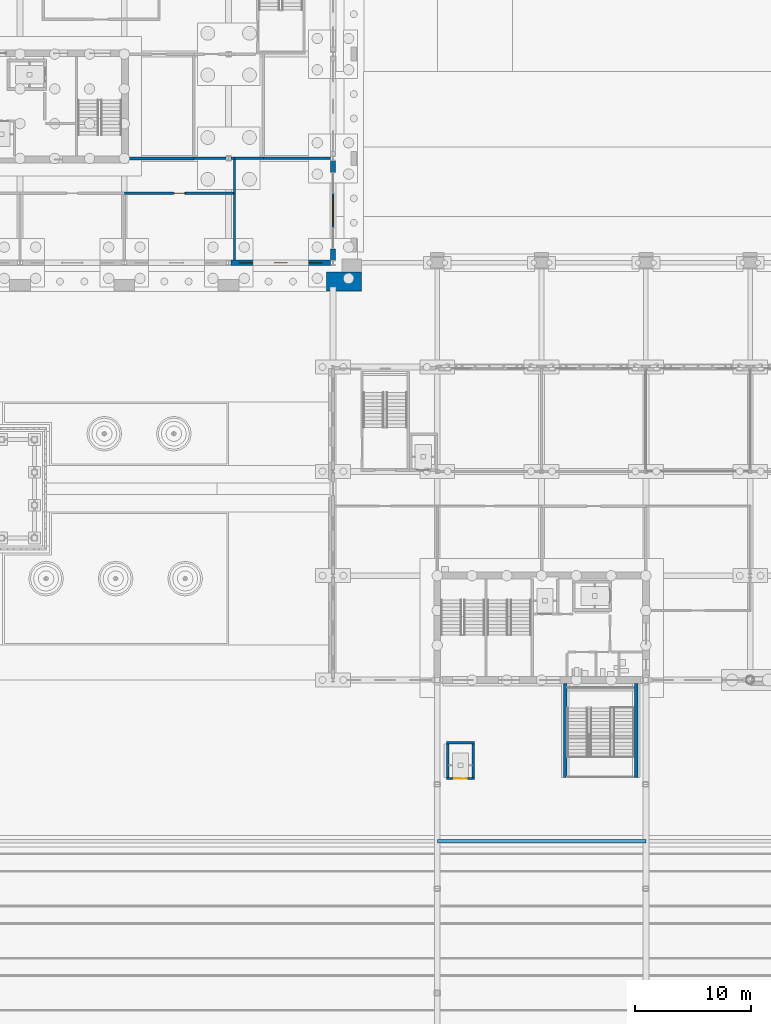
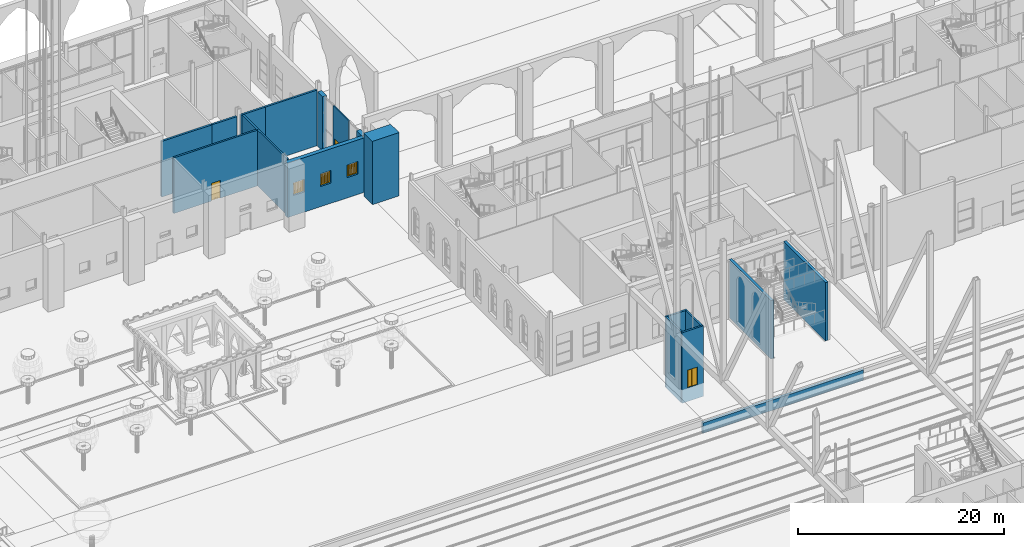
# One storey, part 106 of 250: 20 walls, 3 doors, 3 windows, 6 openings.
"""IFC4 building model written with IfcOpenShell, lengths in metres."""

from ifc_helpers import new_model, si_unit, direction, frame, frame_2d, origin, place, context, subcontext, project, spatial, polyline, rectangle, outline, extrude, material, layer, layer_set, type_object, element, fill, save


model = new_model("IFC4")

# Units and contexts
model_context = context("Model", 3, precision=1e-05, world=origin(), true_north=direction((0.0, 1.0)))
body_context = subcontext(model_context, "Body", "Model", "MODEL_VIEW")
ifc_project = project(units=[si_unit("LENGTHUNIT", "METRE"), si_unit("AREAUNIT", "SQUARE_METRE"), si_unit("VOLUMEUNIT", "CUBIC_METRE"), si_unit("PLANEANGLEUNIT", "RADIAN"), si_unit("MASSUNIT", "GRAM", prefix="KILO")], contexts=[model_context])

# Site, building, storey
site_placement = place(None, origin())
site = spatial("IfcSite", under=ifc_project, at=site_placement, CompositionType="ELEMENT")
building_placement = place(site_placement, origin())
building = spatial("IfcBuilding", under=site, at=building_placement, Name="Baradari Gate Terminus", CompositionType="ELEMENT")
storey_placement = place(building_placement, origin())
storey = spatial("IfcBuildingStorey", under=building, at=storey_placement, Name="L00", CompositionType="ELEMENT", Elevation=0.0)

# Walls
ifc_material_1 = material(Name="Blockwork wall, plastered, fire rated", Category="masonry")
ifc_layer_1 = layer(ifc_material_1, 0.199951171875)
ifc_layer_set_1 = layer_set([ifc_layer_1], Name="Blockwork wall, plastered, fire rated")
wall_type_1 = type_object("IfcWallType", Name="Compartment wall PT-3 200 EI 120", PredefinedType="PARTITIONING", material=ifc_layer_set_1)
wall_1_placement = place(storey_placement, frame((54.5, 117.22705078125, 0.0), z_axis=(0.0, 0.0, 1.0), x_axis=(0.0, 1.0, 0.0)))
element("IfcWall", 1, at=wall_1_placement, inside=storey, type_object=wall_type_1, Name="PT-3 partition Kiosk 3 / Fire Command Room", PredefinedType="PARTITIONING", context=body_context, shape_type="SweptSolid", body=[
    extrude(rectangle(XDim=5.77294921875, YDim=0.199951171875, at=frame_2d((2.886474609375, 0.0))), origin(), (0.0, 0.0, 1.0), 6.60009765625),
])
ifc_material_2 = material(Name="Dense blockwork wall, plastered, fire rated", Category="masonry")
ifc_layer_2 = layer(ifc_material_2, 0.22509765625)
ifc_layer_set_2 = layer_set([ifc_layer_2], Name="Dense blockwork wall, plastered, fire rated")
wall_type_2 = type_object("IfcWallType", Name="Electrical room wall PT-8 225 EI 120", PredefinedType="PARTITIONING", material=ifc_layer_set_2)
wall_2_placement = place(storey_placement, frame((45.376953125, 126.0, 0.0), z_axis=(0.0, 0.0, 1.0), x_axis=(1.0, 0.0, 0.0)))
element("IfcWall", 2, at=wall_2_placement, inside=storey, type_object=wall_type_2, Name="PT-8 partition Staff and Visitor Lobby / Fire Pump Room", PredefinedType="PARTITIONING", context=body_context, shape_type="SweptSolid", body=[
    extrude(rectangle(XDim=5.623046875, YDim=0.22509765625, at=frame_2d((2.8115234375, 0.0))), origin(), (0.0, 0.0, 1.0), 6.60009765625),
])

# Wall, opening, door
ifc_material_3 = material(Name="Laminated glass in aluminium frame", Category="aluminium")
ifc_layer_3 = layer(ifc_material_3, 0.14990234375)
ifc_layer_set_3 = layer_set([ifc_layer_3], Name="Laminated glass in aluminium frame")
wall_type_3 = type_object("IfcWallType", Name="Glazed entrance screen WG-1 150", PredefinedType="ELEMENTEDWALL", material=ifc_layer_set_3)
wall_3_placement = place(storey_placement, frame((63.0, 120.0, 0.0), z_axis=(0.0, 0.0, 1.0), x_axis=(0.0, 1.0, 0.0)))
wall_3 = element("IfcWall", 3, at=wall_3_placement, inside=storey, type_object=wall_type_3, Name="Glazed entrance screen TE bay 13 L00", PredefinedType="ELEMENTEDWALL", context=body_context, shape_type="SweptSolid", body=[
    extrude(rectangle(XDim=3.0, YDim=0.14990234375, at=frame_2d((1.5, 0.0))), origin(), (0.0, 0.0, 1.0), 6.459716796875),
])
opening_1_placement = place(wall_3_placement, frame((0.300048828125, 0.0, 0.0)))
opening_1 = element("IfcOpeningElement", 4, at=opening_1_placement, cuts=wall_3, Name="Opening D00-010", PredefinedType="OPENING", context=body_context, shape_type="SweptSolid", body=[
    extrude(rectangle(XDim=2.39990234375, YDim=2.699951171875, at=frame_2d((1.199951171875, 1.35009765625))), frame((0.0, 0.0849609375, 0.0), z_axis=(0.0, -1.0, 0.0), x_axis=(1.0, 0.0, 0.0)), (0.0, 0.0, 1.0), 0.169921875),
])
ifc_material_4 = material(Name="Aluminium 6063-T6", Category="aluminium")
door_type_1 = type_object("IfcDoorType", Name="Shop entrance door pair, glazed DT-2 2400x2700", OperationType="DOUBLE_DOOR_DOUBLE_SWING", PredefinedType="DOOR", material=ifc_material_4)
door_1_placement = place(opening_1_placement, frame((2.39990234375, 0.0, 0.0), z_axis=(0.0, 0.0, 1.0), x_axis=(-1.0, 0.0, 0.0)))
door_1 = element("IfcDoor", 5, at=door_1_placement, inside=storey, type_object=door_type_1, Name="Entrance door Kiosk 3", OperationType="DOUBLE_DOOR_SINGLE_SWING", OverallHeight=2.7, OverallWidth=2.4, PredefinedType="DOOR", context=body_context, shape_type="SweptSolid", body=[
    extrude(outline(polyline([(0.0, 0.0), (0.070068359375, 0.0), (0.070068359375, 2.6298828125), (2.329833984375, 2.6298828125), (2.329833984375, 0.0), (2.39990234375, 0.0), (2.39990234375, 2.699951171875), (0.0, 2.699951171875), (0.0, 0.0)])), frame((0.0, 0.02490234375, 0.0), z_axis=(0.0, -1.0, 0.0), x_axis=(1.0, 0.0, 0.0)), (0.0, 0.0, 1.0), 0.050048828125),
    extrude(outline(polyline([(0.073974609375, 0.010009765625), (1.19677734375, 0.010009765625), (1.19677734375, 2.6259765625), (0.073974609375, 2.6259765625), (0.073974609375, 0.010009765625)]), holes=[polyline([(0.1640625, 0.31005859375), (1.10693359375, 0.31005859375), (1.10693359375, 2.535888671875), (0.1640625, 2.535888671875), (0.1640625, 0.31005859375)])]), frame((0.0, 0.017333984375, 0.0), z_axis=(0.0, -1.0, 0.0), x_axis=(1.0, 0.0, 0.0)), (0.0, 0.0, 1.0), 0.034912109375),
    extrude(rectangle(XDim=0.94287109375, YDim=2.225830078125, at=frame_2d((0.635498046875, 1.4228515625))), frame((0.0, 0.005859375, 0.0), z_axis=(0.0, -1.0, 0.0), x_axis=(1.0, 0.0, 0.0)), (0.0, 0.0, 1.0), 0.011962890625),
    extrude(outline(polyline([(1.203125, 0.010009765625), (2.325927734375, 0.010009765625), (2.325927734375, 2.6259765625), (1.203125, 2.6259765625), (1.203125, 0.010009765625)]), holes=[polyline([(1.29296875, 0.31005859375), (2.23583984375, 0.31005859375), (2.23583984375, 2.535888671875), (1.29296875, 2.535888671875), (1.29296875, 0.31005859375)])]), frame((0.0, 0.017333984375, 0.0), z_axis=(0.0, -1.0, 0.0), x_axis=(1.0, 0.0, 0.0)), (0.0, 0.0, 1.0), 0.034912109375),
    extrude(rectangle(XDim=0.94287109375, YDim=2.225830078125, at=frame_2d((1.764404296875, 1.4228515625))), frame((0.0, 0.005859375, 0.0), z_axis=(0.0, -1.0, 0.0), x_axis=(1.0, 0.0, 0.0)), (0.0, 0.0, 1.0), 0.011962890625),
])
fill(opening_1, door_1)

# Wall, openings, windows
ifc_material_5 = material(Name="Laterite masonry", Category="masonry")
ifc_layer_4 = layer(ifc_material_5, 0.449951171875)
ifc_layer_set_4 = layer_set([ifc_layer_4], Name="Laterite masonry")
wall_type_4 = type_object("IfcWallType", Name="Laterite masonry pier WC-1 450", PredefinedType="SOLIDWALL", material=ifc_layer_set_4)
wall_4_placement = place(storey_placement, frame((54.199462890625, 117.0, 0.0), z_axis=(0.0, 0.0, 1.0), x_axis=(1.0, 0.0, 0.0)))
wall_4 = element("IfcWall", 6, at=wall_4_placement, inside=storey, type_object=wall_type_4, Name="Operations block south wall TS bay 7 L00", PredefinedType="SOLIDWALL", context=body_context, shape_type="SweptSolid", body=[
    extrude(rectangle(XDim=8.575439453125, YDim=0.449951171875, at=frame_2d((4.28759765625, 0.0))), origin(), (0.0, 0.0, 1.0), 6.459716796875),
])
opening_2_placement = place(wall_4_placement, frame((0.700439453125, 0.0, 2.39990234375)))
opening_2 = element("IfcOpeningElement", 7, at=opening_2_placement, cuts=wall_4, Name="Opening W11", PredefinedType="OPENING", context=body_context, shape_type="SweptSolid", body=[
    extrude(rectangle(XDim=1.199951171875, YDim=1.5, at=frame_2d((0.60009765625, 0.75))), frame((0.0, 0.23486328125, 0.0), z_axis=(0.0, -1.0, 0.0), x_axis=(1.0, 0.0, 0.0)), (0.0, 0.0, 1.0), 0.469970703125),
])
opening_3_placement = place(wall_4_placement, frame((3.700439453125, 0.0, 2.39990234375)))
opening_3 = element("IfcOpeningElement", 8, at=opening_3_placement, cuts=wall_4, Name="Opening W11", PredefinedType="OPENING", context=body_context, shape_type="SweptSolid", body=[
    extrude(rectangle(XDim=1.199951171875, YDim=1.5, at=frame_2d((0.60009765625, 0.75))), frame((0.0, 0.23486328125, 0.0), z_axis=(0.0, -1.0, 0.0), x_axis=(1.0, 0.0, 0.0)), (0.0, 0.0, 1.0), 0.469970703125),
])
opening_4_placement = place(wall_4_placement, frame((6.700439453125, 0.0, 2.39990234375)))
opening_4 = element("IfcOpeningElement", 9, at=opening_4_placement, cuts=wall_4, Name="Opening W11", PredefinedType="OPENING", context=body_context, shape_type="SweptSolid", body=[
    extrude(rectangle(XDim=1.199951171875, YDim=1.5, at=frame_2d((0.60009765625, 0.75))), frame((0.0, 0.23486328125, 0.0), z_axis=(0.0, -1.0, 0.0), x_axis=(1.0, 0.0, 0.0)), (0.0, 0.0, 1.0), 0.469970703125),
])
ifc_material_6 = material(Name="Aluminium 6063-T6", Category="aluminium")
window_type = type_object("IfcWindowType", Name="Plant louvred window W11 1200x1500", PartitioningType="SINGLE_PANEL", PredefinedType="WINDOW", material=ifc_material_6)
window_1_placement = place(opening_2_placement, origin())
window_1 = element("IfcWindow", 10, at=window_1_placement, inside=storey, type_object=window_type, Name="Window W11 TS/06", OverallHeight=1.5, OverallWidth=1.2, PartitioningType="SINGLE_PANEL", PredefinedType="WINDOW", context=body_context, shape_type="SweptSolid", body=[
    extrude(outline(polyline([(0.0, 0.0), (1.199951171875, 0.0), (1.199951171875, 1.5), (0.0, 1.5), (0.0, 0.0)]), holes=[polyline([(0.070068359375, 0.070068359375), (1.1298828125, 0.070068359375), (1.1298828125, 1.429931640625), (0.070068359375, 1.429931640625), (0.070068359375, 0.070068359375)])]), frame((0.0, 0.030029296875, 0.0), z_axis=(0.0, -1.0, 0.0), x_axis=(1.0, 0.0, 0.0)), (0.0, 0.0, 1.0), 0.06005859375),
    extrude(outline(polyline([(0.070068359375, 0.070068359375), (1.1298828125, 0.070068359375), (1.1298828125, 1.429931640625), (0.070068359375, 1.429931640625), (0.070068359375, 0.070068359375)]), holes=[polyline([(0.10009765625, 0.10009765625), (1.099853515625, 0.10009765625), (1.099853515625, 1.39990234375), (0.10009765625, 1.39990234375), (0.10009765625, 0.10009765625)])]), frame((0.0, 0.0224609375, 0.0), z_axis=(0.0, -1.0, 0.0), x_axis=(1.0, 0.0, 0.0)), (0.0, 0.0, 1.0), 0.044921875),
    extrude(rectangle(XDim=0.999755859375, YDim=0.070068359375, at=frame_2d((0.60009765625, 0.13525390625))), frame((0.0, 0.012451171875, 0.0), z_axis=(0.0, -1.0, 0.0), x_axis=(1.0, 0.0, 0.0)), (0.0, 0.0, 1.0), 0.02490234375),
    extrude(rectangle(XDim=0.999755859375, YDim=0.070068359375, at=frame_2d((0.60009765625, 0.2548828125))), frame((0.0, 0.012451171875, 0.0), z_axis=(0.0, -1.0, 0.0), x_axis=(1.0, 0.0, 0.0)), (0.0, 0.0, 1.0), 0.02490234375),
    extrude(rectangle(XDim=0.999755859375, YDim=0.070068359375, at=frame_2d((0.60009765625, 0.375))), frame((0.0, 0.012451171875, 0.0), z_axis=(0.0, -1.0, 0.0), x_axis=(1.0, 0.0, 0.0)), (0.0, 0.0, 1.0), 0.02490234375),
    extrude(rectangle(XDim=0.999755859375, YDim=0.070068359375, at=frame_2d((0.60009765625, 0.4951171875))), frame((0.0, 0.012451171875, 0.0), z_axis=(0.0, -1.0, 0.0), x_axis=(1.0, 0.0, 0.0)), (0.0, 0.0, 1.0), 0.02490234375),
    extrude(rectangle(XDim=0.999755859375, YDim=0.070068359375, at=frame_2d((0.60009765625, 0.615234375))), frame((0.0, 0.012451171875, 0.0), z_axis=(0.0, -1.0, 0.0), x_axis=(1.0, 0.0, 0.0)), (0.0, 0.0, 1.0), 0.02490234375),
    extrude(rectangle(XDim=0.999755859375, YDim=0.070068359375, at=frame_2d((0.60009765625, 0.73486328125))), frame((0.0, 0.012451171875, 0.0), z_axis=(0.0, -1.0, 0.0), x_axis=(1.0, 0.0, 0.0)), (0.0, 0.0, 1.0), 0.02490234375),
    extrude(rectangle(XDim=0.999755859375, YDim=0.070068359375, at=frame_2d((0.60009765625, 0.85498046875))), frame((0.0, 0.012451171875, 0.0), z_axis=(0.0, -1.0, 0.0), x_axis=(1.0, 0.0, 0.0)), (0.0, 0.0, 1.0), 0.02490234375),
    extrude(rectangle(XDim=0.999755859375, YDim=0.06982421875, at=frame_2d((0.60009765625, 0.97509765625))), frame((0.0, 0.012451171875, 0.0), z_axis=(0.0, -1.0, 0.0), x_axis=(1.0, 0.0, 0.0)), (0.0, 0.0, 1.0), 0.02490234375),
    extrude(rectangle(XDim=0.999755859375, YDim=0.070068359375, at=frame_2d((0.60009765625, 1.09521484375))), frame((0.0, 0.012451171875, 0.0), z_axis=(0.0, -1.0, 0.0), x_axis=(1.0, 0.0, 0.0)), (0.0, 0.0, 1.0), 0.02490234375),
    extrude(rectangle(XDim=0.999755859375, YDim=0.06982421875, at=frame_2d((0.60009765625, 1.215087890625))), frame((0.0, 0.012451171875, 0.0), z_axis=(0.0, -1.0, 0.0), x_axis=(1.0, 0.0, 0.0)), (0.0, 0.0, 1.0), 0.02490234375),
])
fill(opening_2, window_1)
window_2_placement = place(opening_3_placement, origin())
window_2 = element("IfcWindow", 11, at=window_2_placement, inside=storey, type_object=window_type, Name="Window W11 TS/06", OverallHeight=1.5, OverallWidth=1.2, PartitioningType="SINGLE_PANEL", PredefinedType="WINDOW", context=body_context, shape_type="SweptSolid", body=[
    extrude(outline(polyline([(0.0, 0.0), (1.199951171875, 0.0), (1.199951171875, 1.5), (0.0, 1.5), (0.0, 0.0)]), holes=[polyline([(0.070068359375, 0.070068359375), (1.1298828125, 0.070068359375), (1.1298828125, 1.429931640625), (0.070068359375, 1.429931640625), (0.070068359375, 0.070068359375)])]), frame((0.0, 0.030029296875, 0.0), z_axis=(0.0, -1.0, 0.0), x_axis=(1.0, 0.0, 0.0)), (0.0, 0.0, 1.0), 0.06005859375),
    extrude(outline(polyline([(0.070068359375, 0.070068359375), (1.1298828125, 0.070068359375), (1.1298828125, 1.429931640625), (0.070068359375, 1.429931640625), (0.070068359375, 0.070068359375)]), holes=[polyline([(0.10009765625, 0.10009765625), (1.099853515625, 0.10009765625), (1.099853515625, 1.39990234375), (0.10009765625, 1.39990234375), (0.10009765625, 0.10009765625)])]), frame((0.0, 0.0224609375, 0.0), z_axis=(0.0, -1.0, 0.0), x_axis=(1.0, 0.0, 0.0)), (0.0, 0.0, 1.0), 0.044921875),
    extrude(rectangle(XDim=0.999755859375, YDim=0.070068359375, at=frame_2d((0.60009765625, 0.13525390625))), frame((0.0, 0.012451171875, 0.0), z_axis=(0.0, -1.0, 0.0), x_axis=(1.0, 0.0, 0.0)), (0.0, 0.0, 1.0), 0.02490234375),
    extrude(rectangle(XDim=0.999755859375, YDim=0.070068359375, at=frame_2d((0.60009765625, 0.2548828125))), frame((0.0, 0.012451171875, 0.0), z_axis=(0.0, -1.0, 0.0), x_axis=(1.0, 0.0, 0.0)), (0.0, 0.0, 1.0), 0.02490234375),
    extrude(rectangle(XDim=0.999755859375, YDim=0.070068359375, at=frame_2d((0.60009765625, 0.375))), frame((0.0, 0.012451171875, 0.0), z_axis=(0.0, -1.0, 0.0), x_axis=(1.0, 0.0, 0.0)), (0.0, 0.0, 1.0), 0.02490234375),
    extrude(rectangle(XDim=0.999755859375, YDim=0.070068359375, at=frame_2d((0.60009765625, 0.4951171875))), frame((0.0, 0.012451171875, 0.0), z_axis=(0.0, -1.0, 0.0), x_axis=(1.0, 0.0, 0.0)), (0.0, 0.0, 1.0), 0.02490234375),
    extrude(rectangle(XDim=0.999755859375, YDim=0.070068359375, at=frame_2d((0.60009765625, 0.615234375))), frame((0.0, 0.012451171875, 0.0), z_axis=(0.0, -1.0, 0.0), x_axis=(1.0, 0.0, 0.0)), (0.0, 0.0, 1.0), 0.02490234375),
    extrude(rectangle(XDim=0.999755859375, YDim=0.070068359375, at=frame_2d((0.60009765625, 0.73486328125))), frame((0.0, 0.012451171875, 0.0), z_axis=(0.0, -1.0, 0.0), x_axis=(1.0, 0.0, 0.0)), (0.0, 0.0, 1.0), 0.02490234375),
    extrude(rectangle(XDim=0.999755859375, YDim=0.070068359375, at=frame_2d((0.60009765625, 0.85498046875))), frame((0.0, 0.012451171875, 0.0), z_axis=(0.0, -1.0, 0.0), x_axis=(1.0, 0.0, 0.0)), (0.0, 0.0, 1.0), 0.02490234375),
    extrude(rectangle(XDim=0.999755859375, YDim=0.06982421875, at=frame_2d((0.60009765625, 0.97509765625))), frame((0.0, 0.012451171875, 0.0), z_axis=(0.0, -1.0, 0.0), x_axis=(1.0, 0.0, 0.0)), (0.0, 0.0, 1.0), 0.02490234375),
    extrude(rectangle(XDim=0.999755859375, YDim=0.070068359375, at=frame_2d((0.60009765625, 1.09521484375))), frame((0.0, 0.012451171875, 0.0), z_axis=(0.0, -1.0, 0.0), x_axis=(1.0, 0.0, 0.0)), (0.0, 0.0, 1.0), 0.02490234375),
    extrude(rectangle(XDim=0.999755859375, YDim=0.06982421875, at=frame_2d((0.60009765625, 1.215087890625))), frame((0.0, 0.012451171875, 0.0), z_axis=(0.0, -1.0, 0.0), x_axis=(1.0, 0.0, 0.0)), (0.0, 0.0, 1.0), 0.02490234375),
])
fill(opening_3, window_2)
window_3_placement = place(opening_4_placement, origin())
window_3 = element("IfcWindow", 12, at=window_3_placement, inside=storey, type_object=window_type, Name="Window W11 TS/06", OverallHeight=1.5, OverallWidth=1.2, PartitioningType="SINGLE_PANEL", PredefinedType="WINDOW", context=body_context, shape_type="SweptSolid", body=[
    extrude(outline(polyline([(0.0, 0.0), (1.199951171875, 0.0), (1.199951171875, 1.5), (0.0, 1.5), (0.0, 0.0)]), holes=[polyline([(0.070068359375, 0.070068359375), (1.1298828125, 0.070068359375), (1.1298828125, 1.429931640625), (0.070068359375, 1.429931640625), (0.070068359375, 0.070068359375)])]), frame((0.0, 0.030029296875, 0.0), z_axis=(0.0, -1.0, 0.0), x_axis=(1.0, 0.0, 0.0)), (0.0, 0.0, 1.0), 0.06005859375),
    extrude(outline(polyline([(0.070068359375, 0.070068359375), (1.1298828125, 0.070068359375), (1.1298828125, 1.429931640625), (0.070068359375, 1.429931640625), (0.070068359375, 0.070068359375)]), holes=[polyline([(0.10009765625, 0.10009765625), (1.099853515625, 0.10009765625), (1.099853515625, 1.39990234375), (0.10009765625, 1.39990234375), (0.10009765625, 0.10009765625)])]), frame((0.0, 0.0224609375, 0.0), z_axis=(0.0, -1.0, 0.0), x_axis=(1.0, 0.0, 0.0)), (0.0, 0.0, 1.0), 0.044921875),
    extrude(rectangle(XDim=0.999755859375, YDim=0.070068359375, at=frame_2d((0.60009765625, 0.13525390625))), frame((0.0, 0.012451171875, 0.0), z_axis=(0.0, -1.0, 0.0), x_axis=(1.0, 0.0, 0.0)), (0.0, 0.0, 1.0), 0.02490234375),
    extrude(rectangle(XDim=0.999755859375, YDim=0.070068359375, at=frame_2d((0.60009765625, 0.2548828125))), frame((0.0, 0.012451171875, 0.0), z_axis=(0.0, -1.0, 0.0), x_axis=(1.0, 0.0, 0.0)), (0.0, 0.0, 1.0), 0.02490234375),
    extrude(rectangle(XDim=0.999755859375, YDim=0.070068359375, at=frame_2d((0.60009765625, 0.375))), frame((0.0, 0.012451171875, 0.0), z_axis=(0.0, -1.0, 0.0), x_axis=(1.0, 0.0, 0.0)), (0.0, 0.0, 1.0), 0.02490234375),
    extrude(rectangle(XDim=0.999755859375, YDim=0.070068359375, at=frame_2d((0.60009765625, 0.4951171875))), frame((0.0, 0.012451171875, 0.0), z_axis=(0.0, -1.0, 0.0), x_axis=(1.0, 0.0, 0.0)), (0.0, 0.0, 1.0), 0.02490234375),
    extrude(rectangle(XDim=0.999755859375, YDim=0.070068359375, at=frame_2d((0.60009765625, 0.615234375))), frame((0.0, 0.012451171875, 0.0), z_axis=(0.0, -1.0, 0.0), x_axis=(1.0, 0.0, 0.0)), (0.0, 0.0, 1.0), 0.02490234375),
    extrude(rectangle(XDim=0.999755859375, YDim=0.070068359375, at=frame_2d((0.60009765625, 0.73486328125))), frame((0.0, 0.012451171875, 0.0), z_axis=(0.0, -1.0, 0.0), x_axis=(1.0, 0.0, 0.0)), (0.0, 0.0, 1.0), 0.02490234375),
    extrude(rectangle(XDim=0.999755859375, YDim=0.070068359375, at=frame_2d((0.60009765625, 0.85498046875))), frame((0.0, 0.012451171875, 0.0), z_axis=(0.0, -1.0, 0.0), x_axis=(1.0, 0.0, 0.0)), (0.0, 0.0, 1.0), 0.02490234375),
    extrude(rectangle(XDim=0.999755859375, YDim=0.06982421875, at=frame_2d((0.60009765625, 0.97509765625))), frame((0.0, 0.012451171875, 0.0), z_axis=(0.0, -1.0, 0.0), x_axis=(1.0, 0.0, 0.0)), (0.0, 0.0, 1.0), 0.02490234375),
    extrude(rectangle(XDim=0.999755859375, YDim=0.070068359375, at=frame_2d((0.60009765625, 1.09521484375))), frame((0.0, 0.012451171875, 0.0), z_axis=(0.0, -1.0, 0.0), x_axis=(1.0, 0.0, 0.0)), (0.0, 0.0, 1.0), 0.02490234375),
    extrude(rectangle(XDim=0.999755859375, YDim=0.06982421875, at=frame_2d((0.60009765625, 1.215087890625))), frame((0.0, 0.012451171875, 0.0), z_axis=(0.0, -1.0, 0.0), x_axis=(1.0, 0.0, 0.0)), (0.0, 0.0, 1.0), 0.02490234375),
])
fill(opening_4, window_3)

# Walls
for number, where, z_axis, x_axis, name in (
    (13, (63.0, 117.19677734375, 0.0), (0.0, 0.0, 1.0), (0.0, 1.0, 0.0), "Stone-clad pier TE bay 13 L00"),
    (14, (63.0, 124.800048828125, 0.0), (0.0, 0.0, 1.0), (0.0, 1.0, 0.0), "Stone-clad pier TE bay 13 L00"),
):
    element("IfcWall", number, at=place(storey_placement, frame(where, z_axis=z_axis, x_axis=x_axis)), inside=storey, type_object=wall_type_4, Name=name, PredefinedType="SOLIDWALL", context=body_context, shape_type="SweptSolid", body=[
        extrude(rectangle(XDim=1.003173828125, YDim=0.449951171875, at=frame_2d((0.50146484375, 0.0))), origin(), (0.0, 0.0, 1.0), 6.459716796875),
    ])

# Wall, opening, door
ifc_material_7 = material(Name="Blockwork wall, fire rated", Category="masonry")
ifc_layer_5 = layer(ifc_material_7, 0.199951171875)
ifc_layer_set_5 = layer_set([ifc_layer_5], Name="Blockwork wall, fire rated")
wall_type_5 = type_object("IfcWallType", Name="Lift shaft wall SH-1 200 EI 120", PredefinedType="SOLIDWALL", material=ifc_layer_set_5)
wall_5_placement = place(storey_placement, frame((72.800048828125, 72.5, -1.60009765625), z_axis=(0.0, 0.0, 1.0), x_axis=(1.0, 0.0, 0.0)))
wall_5 = element("IfcWall", 15, at=wall_5_placement, inside=storey, type_object=wall_type_5, Name="Lift shaft wall LP2 L00 S", PredefinedType="SOLIDWALL", context=body_context, shape_type="SweptSolid", body=[
    extrude(rectangle(XDim=2.39990234375, YDim=0.199951171875, at=frame_2d((1.199951171875, 0.0))), origin(), (0.0, 0.0, 1.0), 8.357177734375),
])
opening_5_placement = place(wall_5_placement, frame((0.64990234375, 0.0, 1.60009765625)))
opening_5 = element("IfcOpeningElement", 16, at=opening_5_placement, cuts=wall_5, Name="Opening D00-078", PredefinedType="OPENING", context=body_context, shape_type="SweptSolid", body=[
    extrude(rectangle(XDim=1.10009765625, YDim=2.10009765625, at=frame_2d((0.550048828125, 1.050048828125))), frame((0.0, 0.10986328125, 0.0), z_axis=(0.0, -1.0, 0.0), x_axis=(1.0, 0.0, 0.0)), (0.0, 0.0, 1.0), 0.219970703125),
])
ifc_material_8 = material(Name="Stainless steel 1.4301", Category="steel")
door_type_2 = type_object("IfcDoorType", Name="Lift landing door LD 1100x2100 E 120", OperationType="SLIDING_TO_LEFT", PredefinedType="DOOR", material=ifc_material_8)
door_2_placement = place(opening_5_placement, origin())
door_2 = element("IfcDoor", 17, at=door_2_placement, inside=storey, type_object=door_type_2, Name="Lift landing door LP2 L00", OperationType="SLIDING_TO_LEFT", OverallHeight=2.1, OverallWidth=1.1, PredefinedType="DOOR", context=body_context, shape_type="SweptSolid", body=[
    extrude(outline(polyline([(0.0, 0.0), (0.070068359375, 0.0), (0.070068359375, 2.030029296875), (1.030029296875, 2.030029296875), (1.030029296875, 0.0), (1.10009765625, 0.0), (1.10009765625, 2.10009765625), (0.0, 2.10009765625), (0.0, 0.0)])), frame((0.0, 0.02490234375, 0.0), z_axis=(0.0, -1.0, 0.0), x_axis=(1.0, 0.0, 0.0)), (0.0, 0.0, 1.0), 0.050048828125),
    extrude(rectangle(XDim=0.523681640625, YDim=2.01611328125, at=frame_2d((0.3359375, 1.01806640625))), frame((0.0, 0.017822265625, 0.0), z_axis=(0.0, -1.0, 0.0), x_axis=(1.0, 0.0, 0.0)), (0.0, 0.0, 1.0), 0.015869140625),
    extrude(rectangle(XDim=0.519775390625, YDim=2.01611328125, at=frame_2d((0.76611328125, 1.01806640625))), frame((0.0, -0.002197265625, 0.0), z_axis=(0.0, -1.0, 0.0), x_axis=(1.0, 0.0, 0.0)), (0.0, 0.0, 1.0), 0.015869140625),
])
fill(opening_5, door_2)

# Walls
wall_6_placement = place(storey_placement, frame((72.800048828125, 75.60009765625, -1.60009765625), z_axis=(0.0, 0.0, 1.0), x_axis=(1.0, 0.0, 0.0)))
element("IfcWall", 18, at=wall_6_placement, inside=storey, type_object=wall_type_5, Name="Lift shaft wall LP2 L00 N", PredefinedType="SOLIDWALL", context=body_context, shape_type="SweptSolid", body=[
    extrude(rectangle(XDim=2.39990234375, YDim=0.199951171875, at=frame_2d((1.199951171875, 0.0))), origin(), (0.0, 0.0, 1.0), 8.357177734375),
])
for number, where, z_axis, x_axis, name in (
    (19, (72.89990234375, 72.60009765625, -1.60009765625), (0.0, 0.0, 1.0), (0.0, 1.0, 0.0), "Lift shaft wall LP2 L00 W"),
    (20, (75.10009765625, 72.60009765625, -1.60009765625), (0.0, 0.0, 1.0), (0.0, 1.0, 0.0), "Lift shaft wall LP2 L00 E"),
):
    element("IfcWall", number, at=place(storey_placement, frame(where, z_axis=z_axis, x_axis=x_axis)), inside=storey, type_object=wall_type_5, Name=name, PredefinedType="SOLIDWALL", context=body_context, shape_type="SweptSolid", body=[
        extrude(rectangle(XDim=2.89990234375, YDim=0.199951171875, at=frame_2d((1.449951171875, 0.0))), origin(), (0.0, 0.0, 1.0), 8.357177734375),
    ])

# Wall, opening, door
ifc_material_9 = material(Name="Blockwork wall, plastered, fire rated", Category="masonry")
ifc_layer_6 = layer(ifc_material_9, 0.199951171875)
ifc_layer_set_6 = layer_set([ifc_layer_6], Name="Blockwork wall, plastered, fire rated")
wall_type_6 = type_object("IfcWallType", Name="Lobby partition PT-4 200 EI 60", PredefinedType="PARTITIONING", material=ifc_layer_set_6)
wall_7_placement = place(storey_placement, frame((54.39990234375, 123.0, 0.0), z_axis=(0.0, 0.0, 1.0), x_axis=(-1.0, 0.0, 0.0)))
wall_7 = element("IfcWall", 21, at=wall_7_placement, inside=storey, type_object=wall_type_6, Name="PT-4 partition Staff and Visitor Lobby / Fire Command Room", PredefinedType="PARTITIONING", context=body_context, shape_type="SweptSolid", body=[
    extrude(rectangle(XDim=9.39990234375, YDim=0.199951171875, at=frame_2d((4.699951171875, 0.0))), origin(), (0.0, 0.0, 1.0), 6.60009765625),
])
opening_6_placement = place(wall_7_placement, frame((4.14990234375, 0.0, 0.0)))
opening_6 = element("IfcOpeningElement", 22, at=opening_6_placement, cuts=wall_7, Name="Opening D00-098", PredefinedType="OPENING", context=body_context, shape_type="SweptSolid", body=[
    extrude(rectangle(XDim=1.0, YDim=2.10009765625, at=frame_2d((0.5, 1.050048828125))), frame((0.0, 0.10986328125, 0.0), z_axis=(0.0, -1.0, 0.0), x_axis=(1.0, 0.0, 0.0)), (0.0, 0.0, 1.0), 0.219970703125),
])
ifc_material_10 = material(Name="Steel S275", Category="steel")
door_type_3 = type_object("IfcDoorType", Name="Fire door FI-1000-FD60S 1000x2100 FD60S", OperationType="SINGLE_SWING_LEFT", PredefinedType="DOOR", material=ifc_material_10)
door_3_placement = place(opening_6_placement, origin())
door_3 = element("IfcDoor", 23, at=door_3_placement, inside=storey, type_object=door_type_3, Name="Door Fire Command Room", OperationType="SINGLE_SWING_LEFT", OverallHeight=2.1, OverallWidth=1.0, PredefinedType="DOOR", context=body_context, shape_type="SweptSolid", body=[
    extrude(outline(polyline([(0.0, 0.0), (0.070068359375, 0.0), (0.070068359375, 2.030029296875), (0.929931640625, 2.030029296875), (0.929931640625, 0.0), (1.0, 0.0), (1.0, 2.10009765625), (0.0, 2.10009765625), (0.0, 0.0)])), frame((0.0, 0.02490234375, 0.0), z_axis=(0.0, -1.0, 0.0), x_axis=(1.0, 0.0, 0.0)), (0.0, 0.0, 1.0), 0.050048828125),
    extrude(outline(polyline([(0.073974609375, 0.010009765625), (0.926025390625, 0.010009765625), (0.926025390625, 2.026123046875), (0.073974609375, 2.026123046875), (0.073974609375, 0.010009765625)]), holes=[polyline([(0.194091796875, 0.159912109375), (0.805908203125, 0.159912109375), (0.805908203125, 1.010009765625), (0.194091796875, 1.010009765625), (0.194091796875, 0.159912109375)]), polyline([(0.35009765625, 1.159912109375), (0.64990234375, 1.159912109375), (0.64990234375, 1.760009765625), (0.35009765625, 1.760009765625), (0.35009765625, 1.159912109375)])]), frame((0.0, 0.017333984375, 0.0), z_axis=(0.0, -1.0, 0.0), x_axis=(1.0, 0.0, 0.0)), (0.0, 0.0, 1.0), 0.034912109375),
    extrude(rectangle(XDim=0.61181640625, YDim=0.85009765625, at=frame_2d((0.5, 0.5849609375))), frame((0.0, 0.008544921875, 0.0), z_axis=(0.0, -1.0, 0.0), x_axis=(1.0, 0.0, 0.0)), (0.0, 0.0, 1.0), 0.017333984375),
    extrude(rectangle(XDim=0.2998046875, YDim=0.60009765625, at=frame_2d((0.5, 1.4599609375))), frame((0.0, 0.005859375, 0.0), z_axis=(0.0, -1.0, 0.0), x_axis=(1.0, 0.0, 0.0)), (0.0, 0.0, 1.0), 0.011962890625),
])
fill(opening_6, door_3)

# Walls
wall_8_placement = place(storey_placement, frame((54.5, 125.892578125, 0.0), z_axis=(0.0, 0.0, 1.0), x_axis=(0.0, -1.0, 0.0)))
element("IfcWall", 24, at=wall_8_placement, inside=storey, type_object=wall_type_6, Name="PT-4 partition Staff and Visitor Lobby / Kiosk 3", PredefinedType="PARTITIONING", context=body_context, shape_type="SweptSolid", body=[
    extrude(rectangle(XDim=2.892578125, YDim=0.199951171875, at=frame_2d((1.4462890625, 0.0))), origin(), (0.0, 0.0, 1.0), 6.60009765625),
])
ifc_material_11 = material(Name="Dense blockwork wall, plastered, acoustic", Category="masonry")
ifc_layer_7 = layer(ifc_material_11, 0.215087890625)
ifc_layer_set_7 = layer_set([ifc_layer_7], Name="Dense blockwork wall, plastered, acoustic")
wall_type_7 = type_object("IfcWallType", Name="Plant room wall PT-7 215 EI 60", PredefinedType="PARTITIONING", material=ifc_layer_set_7)
wall_9_placement = place(storey_placement, frame((51.0, 126.0, 0.0), z_axis=(0.0, 0.0, 1.0), x_axis=(1.0, 0.0, 0.0)))
element("IfcWall", 25, at=wall_9_placement, inside=storey, type_object=wall_type_7, Name="PT-7 partition Staff and Visitor Lobby / Water Tank Room", PredefinedType="PARTITIONING", context=body_context, shape_type="SweptSolid", body=[
    extrude(rectangle(XDim=2.7939453125, YDim=0.215087890625, at=frame_2d((1.39697265625, 0.0))), origin(), (0.0, 0.0, 1.0), 6.60009765625),
])
wall_10_placement = place(storey_placement, frame((54.2060546875, 126.0, 0.0), z_axis=(0.0, 0.0, 1.0), x_axis=(1.0, 0.0, 0.0)))
element("IfcWall", 26, at=wall_10_placement, inside=storey, type_object=wall_type_7, Name="PT-7 partition Staff and Visitor Lobby / Water Tank Room", PredefinedType="PARTITIONING", context=body_context, shape_type="SweptSolid", body=[
    extrude(rectangle(XDim=0.2939453125, YDim=0.215087890625, at=frame_2d((0.14697265625, 0.0))), origin(), (0.0, 0.0, 1.0), 6.60009765625),
])
wall_11_placement = place(storey_placement, frame((57.0, 126.0, 0.0), z_axis=(0.0, 0.0, 1.0), x_axis=(1.0, 0.0, 0.0)))
element("IfcWall", 27, at=wall_11_placement, inside=storey, type_object=wall_type_7, Name="PT-7 partition Kiosk 3 / Plant Room", PredefinedType="PARTITIONING", context=body_context, shape_type="SweptSolid", body=[
    extrude(rectangle(XDim=5.800537109375, YDim=0.215087890625, at=frame_2d((2.900390625, 0.0))), origin(), (0.0, 0.0, 1.0), 6.60009765625),
])
wall_12_placement = place(storey_placement, frame((54.5, 126.0, 0.0), z_axis=(0.0, 0.0, 1.0), x_axis=(1.0, 0.0, 0.0)))
element("IfcWall", 28, at=wall_12_placement, inside=storey, type_object=wall_type_7, Name="PT-7 partition Kiosk 3 / Water Tank Room", PredefinedType="PARTITIONING", context=body_context, shape_type="SweptSolid", body=[
    extrude(rectangle(XDim=2.5, YDim=0.215087890625, at=frame_2d((1.25, 0.0))), origin(), (0.0, 0.0, 1.0), 6.60009765625),
])
ifc_material_12 = material(Name="Concrete C40/50", Category="concrete")
ifc_layer_8 = layer(ifc_material_12, 0.300048828125)
ifc_layer_set_8 = layer_set([ifc_layer_8], Name="Concrete C40/50")
wall_type_8 = type_object("IfcWallType", Name="Platform edge wall CWL06 300", PredefinedType="SOLIDWALL", material=ifc_layer_set_8)
wall_13_placement = place(storey_placement, frame((72.0, 67.10009765625, -1.572021484375), z_axis=(0.0, 0.0, 1.0), x_axis=(1.0, 0.0, 0.0)))
element("IfcWall", 29, at=wall_13_placement, inside=storey, type_object=wall_type_8, Name="Platform 2 edge wall 1", PredefinedType="SOLIDWALL", context=body_context, shape_type="SweptSolid", body=[
    extrude(rectangle(XDim=18.0, YDim=0.300048828125, at=frame_2d((9.0, 0.0))), origin(), (0.0, 0.0, 1.0), 1.221923828125),
])
ifc_material_13 = material(Name="Concrete C40/50", Category="concrete")
ifc_layer_9 = layer(ifc_material_13, 0.300048828125)
ifc_layer_set_9 = layer_set([ifc_layer_9], Name="Concrete C40/50")
wall_type_9 = type_object("IfcWallType", Name="Platform stair spine wall SE-3 300 EI 120", PredefinedType="SOLIDWALL", material=ifc_layer_set_9)
for number, where, z_axis, x_axis, name in (
    (30, (83.050048828125, 72.60009765625, 0.0), (0.0, 0.0, 1.0), (0.0, 1.0, 0.0), "Stair spine wall SE-3 PS-2 L00 W"),
    (31, (89.14990234375, 72.60009765625, 0.0), (0.0, 0.0, 1.0), (0.0, 1.0, 0.0), "Stair spine wall SE-3 PS-2 L00 E"),
):
    element("IfcWall", number, at=place(storey_placement, frame(where, z_axis=z_axis, x_axis=x_axis)), inside=storey, type_object=wall_type_9, Name=name, PredefinedType="SOLIDWALL", context=body_context, shape_type="SweptSolid", body=[
        extrude(rectangle(XDim=8.097900390625, YDim=0.300048828125, at=frame_2d((4.048828125, 0.0))), origin(), (0.0, 0.0, 1.0), 6.902099609375),
    ])
ifc_material_14 = material(Name="Concrete C40/50 precast", Category="concrete")
ifc_layer_10 = layer(ifc_material_14, 1.55)
ifc_material_15 = material(Name="Sandstone cladding", Category="masonry")
ifc_layer_11 = layer(ifc_material_15, 0.1)
ifc_layer_set_10 = layer_set([ifc_layer_10, ifc_layer_11], Name="Concrete C40/50 precast")
wall_type_10 = type_object("IfcWallType", Name="Sandstone-faced precast frame pier WQ-4 1650", PredefinedType="SOLIDWALL", material=ifc_layer_set_10)
wall_14_placement = place(storey_placement, frame((62.445068359375, 115.3798828125, 0.0), z_axis=(0.0, 0.0, 1.0), x_axis=(1.0, 0.0, 0.0)))
element("IfcWall", 32, at=wall_14_placement, inside=storey, type_object=wall_type_10, Name="Corner pilaster SE leg A L00", PredefinedType="SOLIDWALL", context=body_context, shape_type="SweptSolid", body=[
    extrude(rectangle(XDim=3.0, YDim=1.64990234375, at=frame_2d((1.5, 0.0))), origin(), (0.0, 0.0, 1.0), 7.5),
])

save(model, "model.ifc")
